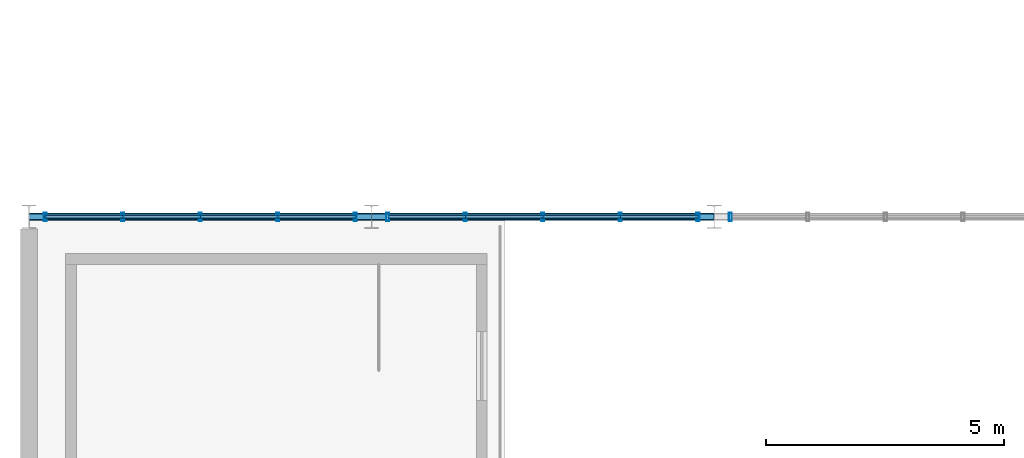
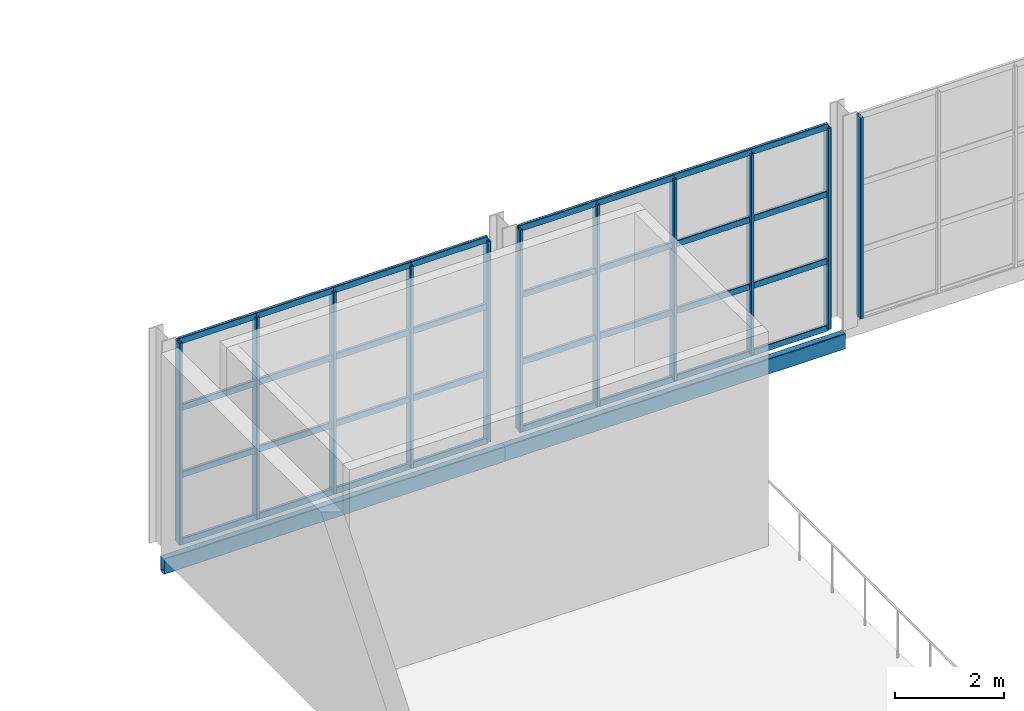
# One storey, part 27 of 143: 43 members, 2 beams, 3 elements without a shape of their own.
"""IFC4 building model written with IfcOpenShell, lengths in metres."""

import ifcopenshell
import ifcopenshell.guid

model = None  # the IFC model being written
_history = None  # IfcOwnerHistory: only IFC2X3 demands one
_inside = {}  # id of a spatial element -> (the spatial element, [elements in it])
_under = {}  # id of a project, library or spatial element -> (it, [spatial elements below it])
_declared = {}  # id of a project -> (the project, [libraries it declares])
_typed = {}  # id of a type object -> (the type object, [elements of that type])
_made_of = {}  # id of a material, layer set ... -> (it, [elements and type objects made of it])


def new_model(schema):
    """Start an empty IFC model of exactly this schema.

    Asked for "IFC4X3", IfcOpenShell would pick the latest addendum, in which some entities
    have other attributes; the version numbers below select the first issue.
    IFC2X3 requires an IfcOwnerHistory on every rooted entity: one is made here for all.
    """
    global model, _history
    if schema == "IFC4X3":
        model = ifcopenshell.file(schema_version=(4, 3, 0, 0))
    else:
        model = ifcopenshell.file(schema=schema)
    _inside.clear()
    _under.clear()
    _declared.clear()
    _typed.clear()
    _made_of.clear()
    _history = None
    if model.schema == "IFC2X3":
        org = make("IfcOrganization", Name="unknown")
        user = make(
            "IfcPersonAndOrganization",
            ThePerson=make("IfcPerson", FamilyName="unknown"),
            TheOrganization=org,
        )
        app = make(
            "IfcApplication",
            ApplicationDeveloper=org,
            Version="unknown",
            ApplicationFullName="unknown",
            ApplicationIdentifier="unknown",
        )
        _history = make(
            "IfcOwnerHistory",
            OwningUser=user,
            OwningApplication=app,
            ChangeAction="ADDED",
            CreationDate=0,
        )
    return model


def make(cls, **values):
    """One entity of the class cls with the attributes given. An attribute that is None is left unset."""
    return model.create_entity(
        cls, **{name: value for name, value in values.items() if value is not None}
    )


def rooted(cls, **values):
    """An entity with a GlobalId (a new one), such as an element, a storey or a relation."""
    return make(cls, GlobalId=ifcopenshell.guid.new(), OwnerHistory=_history, **values)


def si_unit(unit_type, name, prefix=None):
    """IfcSIUnit, for example si_unit("LENGTHUNIT", "METRE", prefix="MILLI")."""
    return make("IfcSIUnit", UnitType=unit_type, Prefix=prefix, Name=name)


def derived_unit(unit_type, elements):
    """IfcDerivedUnit: a product of units, each with its exponent."""
    return make(
        "IfcDerivedUnit",
        Elements=[
            make("IfcDerivedUnitElement", Unit=unit, Exponent=power)
            for unit, power in elements
        ],
        UnitType=unit_type,
    )


def assignment(units):
    """IfcUnitAssignment: the units of a project."""
    return None if units is None else make("IfcUnitAssignment", Units=units)


def point(xyz):
    """IfcCartesianPoint."""
    return None if xyz is None else make("IfcCartesianPoint", Coordinates=xyz)


def direction(xyz):
    """IfcDirection."""
    return None if xyz is None else make("IfcDirection", DirectionRatios=xyz)


def frame(location, z_axis=None, x_axis=None):
    """IfcAxis2Placement3D, a coordinate frame: its origin and axes. An axis left out is left unset."""
    return make(
        "IfcAxis2Placement3D",
        Location=point(location),
        Axis=direction(z_axis),
        RefDirection=direction(x_axis),
    )


def frame_2d(location, x_axis=None):
    """IfcAxis2Placement2D, a coordinate frame in the plane: its origin and x axis."""
    return make(
        "IfcAxis2Placement2D", Location=point(location), RefDirection=direction(x_axis)
    )


def origin():
    """The frame at (0, 0, 0) with its axes left unset."""
    return frame((0.0, 0.0, 0.0))


def origin_2d():
    """The frame at (0, 0) in the plane with its x axis left unset."""
    return frame_2d((0.0, 0.0))


def place(relative_to, where):
    """IfcLocalPlacement: puts the frame where relative to a parent placement (None: the world)."""
    return make(
        "IfcLocalPlacement", PlacementRelTo=relative_to, RelativePlacement=where
    )


def context(
    kind, dimensions, precision=None, world=None, true_north=None, identifier=None
):
    """IfcGeometricRepresentationContext, for example the 3D "Model" context."""
    return make(
        "IfcGeometricRepresentationContext",
        ContextIdentifier=identifier,
        ContextType=kind,
        CoordinateSpaceDimension=dimensions,
        Precision=precision,
        WorldCoordinateSystem=world,
        TrueNorth=true_north,
    )


def subcontext(parent, identifier, kind, view, scale=None):
    """IfcGeometricRepresentationSubContext, for example "Body" below "Model"."""
    return make(
        "IfcGeometricRepresentationSubContext",
        ContextIdentifier=identifier,
        ContextType=kind,
        ParentContext=parent,
        TargetScale=scale,
        TargetView=view,
    )


def project(units=None, contexts=None):
    """IfcProject with its units and contexts."""
    return rooted(
        "IfcProject",
        Name="project",
        RepresentationContexts=contexts,
        UnitsInContext=assignment(units),
    )


def spatial(cls, under=None, at=None, **own):
    """A site, building, storey or space (cls), placed at a placement, below another one or the project."""
    s = rooted(cls, ObjectPlacement=at, **own)
    if under is not None:
        _under.setdefault(under.id(), (under, []))[1].append(s)
    return s


def profile(cls, at=None, kind="AREA", **sizes):
    """A parametric profile (cls). Its sizes go by their IFC names, for example OverallWidth=200.0."""
    return make(cls, ProfileType=kind, Position=at, **sizes)


def hollow_rectangle(**sizes):
    """IfcRectangleHollowProfileDef."""
    return profile("IfcRectangleHollowProfileDef", **sizes)


def extrude(swept, where, along, depth):
    """IfcExtrudedAreaSolid: the profile swept, set in the frame where, extruded along a direction by depth."""
    return make(
        "IfcExtrudedAreaSolid",
        SweptArea=swept,
        Position=where,
        ExtrudedDirection=direction(along),
        Depth=depth,
    )


def shape(context_of_items, identifier, shape_type, items):
    """IfcShapeRepresentation: the items that make up one representation, for example the "Body"."""
    return make(
        "IfcShapeRepresentation",
        ContextOfItems=context_of_items,
        RepresentationIdentifier=identifier,
        RepresentationType=shape_type,
        Items=items,
    )


def material(Name=None, Category=None):
    """IfcMaterial."""
    return make("IfcMaterial", Name=Name, Category=Category)


def material_profile(
    of_material, cross_section, Name=None, Category=None, Priority=None
):
    """IfcMaterialProfile: a cross section and its material."""
    return make(
        "IfcMaterialProfile",
        Name=Name,
        Material=of_material,
        Profile=cross_section,
        Priority=Priority,
        Category=Category,
    )


def profile_set(profiles, Name=None, composite=None):
    """IfcMaterialProfileSet."""
    return make(
        "IfcMaterialProfileSet",
        Name=Name,
        MaterialProfiles=profiles,
        CompositeProfile=composite,
    )


def made_of(thing, what):
    """Note that an element or type object is made of a material, layer set ...; save() writes the relation."""
    if what is not None:
        _made_of.setdefault(what.id(), (what, []))[1].append(thing)
    return thing


def type_object(cls, material=None, **own):
    """A type object (cls), such as IfcWallType, which elements share."""
    return made_of(rooted(cls, **own), material)


def element(
    cls,
    number,
    at=None,
    inside=None,
    cuts=None,
    type_object=None,
    material=None,
    context=None,
    identifier="Body",
    shape_type=None,
    held_by="IfcProductDefinitionShape",
    body=None,
    shapes=None,
    **own,
):
    """One element of the class cls, such as IfcWall. Its Tag is "e" and its number.

    at: its placement. inside: the storey or other place that contains it. cuts: it is an
    opening in that element (IfcRelVoidsElement). A single representation is given by context,
    identifier, shape_type and body (its items); several are given by shapes. held_by: the class
    of the entity that holds the representations. save() writes the other relations.
    """
    e = rooted(cls, Tag="e%d" % number, ObjectPlacement=at, **own)
    if body is not None:
        shapes = [shape(context, identifier, shape_type, body)]
    if shapes is not None:
        e.Representation = make(held_by, Representations=shapes)
    if inside is not None:
        _inside.setdefault(inside.id(), (inside, []))[1].append(e)
    if cuts is not None:
        rooted(
            "IfcRelVoidsElement", RelatingBuildingElement=cuts, RelatedOpeningElement=e
        )
    if type_object is not None:
        _typed.setdefault(type_object.id(), (type_object, []))[1].append(e)
    return made_of(e, material)


def aggregate(whole, parts):
    """IfcRelAggregates: a whole, such as a stair, and the parts it consists of."""
    return rooted("IfcRelAggregates", RelatingObject=whole, RelatedObjects=parts)


def save(model, path):
    """Write the relations noted so far, then the file.

    IfcRelAggregates (storeys below a building ...), IfcRelContainedInSpatialStructure (elements
    in a storey), IfcRelDefinesByType, IfcRelAssociatesMaterial and IfcRelDeclares: one each for
    every whole, place, type object, material and project.
    """
    for whole, parts in _under.values():
        aggregate(whole, parts)
    for where, things in _inside.values():
        rooted(
            "IfcRelContainedInSpatialStructure",
            RelatedElements=things,
            RelatingStructure=where,
        )
    for kind, things in _typed.values():
        rooted("IfcRelDefinesByType", RelatedObjects=things, RelatingType=kind)
    for what, things in _made_of.values():
        rooted("IfcRelAssociatesMaterial", RelatedObjects=things, RelatingMaterial=what)
    for by, libraries in _declared.values():
        rooted("IfcRelDeclares", RelatingContext=by, RelatedDefinitions=libraries)
    model.write(path)


model = new_model("IFC4")

# Units and contexts
model_context = context("Model", 3, precision=1e-05, world=origin(), true_north=direction((0.0, 1.0)))
body_context = subcontext(model_context, "Body", "Model", "MODEL_VIEW")
ifc_project = project(units=[si_unit("LENGTHUNIT", "METRE"), si_unit("AREAUNIT", "SQUARE_METRE"), si_unit("VOLUMEUNIT", "CUBIC_METRE"), si_unit("PLANEANGLEUNIT", "RADIAN"), si_unit("MASSUNIT", "GRAM", prefix="KILO"), derived_unit("THERMALTRANSMITTANCEUNIT", [(si_unit("POWERUNIT", "WATT"), 1), (si_unit("LENGTHUNIT", "METRE"), -2), (si_unit("THERMODYNAMICTEMPERATUREUNIT", "KELVIN"), -1)])], contexts=[model_context])

# Site, building, storey
site_placement = place(None, origin())
site = spatial("IfcSite", under=ifc_project, at=site_placement, CompositionType="ELEMENT")
building_placement = place(site_placement, origin())
building = spatial("IfcBuilding", under=site, at=building_placement, Name="Keldorne Ridge Multi-Sports Centre", CompositionType="ELEMENT")
storey_placement = place(building_placement, frame((0.0, 0.0, 4.800048828125)))
storey = spatial("IfcBuildingStorey", under=building, at=storey_placement, Name="L01", CompositionType="ELEMENT", Elevation=4.800048828125)

# Beams
ifc_material_1 = material(Name="Steel S355", Category="steel")
ifc_material_profile_1 = material_profile(ifc_material_1, hollow_rectangle(XDim=0.14990234375, YDim=0.35009765625, WallThickness=0.012451171875, InnerFilletRadius=0.012451171875, OuterFilletRadius=0.02490234375, at=origin_2d()), Name="RHS 350x150x12.5")
ifc_profile_set_1 = profile_set([ifc_material_profile_1], Name="Steel S355")
beam_type = type_object("IfcBeamType", Name="BM-SP-06", PredefinedType="SPANDREL", material=ifc_profile_set_1)
for number, where, z_axis, x_axis, name in (
    (1, (6.0, 54.0, -0.39501953125), (1.0, 0.0, 0.0), (0.0, 1.0, 0.0), "Main Hall north spandrel L01.1"),
    (2, (13.199951171875, 54.0, -0.39501953125), (1.0, 0.0, 0.0), (0.0, 1.0, 0.0), "Main Hall north spandrel L01.2"),
):
    element("IfcBeam", number, at=place(storey_placement, frame(where, z_axis=z_axis, x_axis=x_axis)), inside=storey, type_object=beam_type, Name=name, PredefinedType="SPANDREL", context=body_context, shape_type="SweptSolid", body=[
        extrude(hollow_rectangle(XDim=0.14990234375, YDim=0.35009765625, WallThickness=0.012451171875, InnerFilletRadius=0.012451171875, OuterFilletRadius=0.02490234375, at=origin_2d()), origin(), (0.0, 0.0, 1.0), 7.199951171875),
    ])

# Curtain wall, members
ifc_material_2 = material(Name="Anodized aluminium", Category="aluminium")
curtain_wall_type_1 = type_object("IfcCurtainWallType", Name="CW-CW-03", PredefinedType="NOTDEFINED", material=ifc_material_2)
curtain_wall_1_placement = place(storey_placement, origin())
curtain_wall_1 = element("IfcCurtainWall", 3, at=curtain_wall_1_placement, inside=storey, type_object=curtain_wall_type_1, Name="Main Hall north clerestory curtain wall 003", PredefinedType="NOTDEFINED")
ifc_material_profile_2 = material_profile(ifc_material_2, hollow_rectangle(XDim=0.06494140625, YDim=0.179931640625, WallThickness=0.00439453125, InnerFilletRadius=0.00439453125, OuterFilletRadius=0.009033203125, at=origin_2d()), Name="ALU MULLION 180x65x4.5")
ifc_profile_set_2 = profile_set([ifc_material_profile_2], Name="Anodized aluminium")
member_type_1 = type_object("IfcMemberType", Name="MEM-ML-01", PredefinedType="MULLION", material=ifc_profile_set_2)
member_1_placement = place(storey_placement, frame((12.860107421875, 54.0, 0.0), z_axis=(0.0, 0.0, 1.0), x_axis=(1.0, 0.0, 0.0)))
member_1 = element("IfcMember", 4, at=member_1_placement, type_object=member_type_1, Name="CW-003 vertical mullion 1", PredefinedType="MULLION", context=body_context, shape_type="SweptSolid", body=[
    extrude(hollow_rectangle(XDim=0.06494140625, YDim=0.179931640625, WallThickness=0.00439453125, InnerFilletRadius=0.00439453125, OuterFilletRadius=0.009033203125, at=origin_2d()), origin(), (0.0, 0.0, 1.0), 4.5),
])
member_2_placement = place(storey_placement, frame((11.22998046875, 54.0, 0.0), z_axis=(0.0, 0.0, 1.0), x_axis=(1.0, 0.0, 0.0)))
member_2 = element("IfcMember", 5, at=member_2_placement, type_object=member_type_1, Name="CW-003 vertical mullion 2", PredefinedType="MULLION", context=body_context, shape_type="SweptSolid", body=[
    extrude(hollow_rectangle(XDim=0.06494140625, YDim=0.179931640625, WallThickness=0.00439453125, InnerFilletRadius=0.00439453125, OuterFilletRadius=0.009033203125, at=origin_2d()), origin(), (0.0, 0.0, 1.0), 4.5),
])
member_3_placement = place(storey_placement, frame((9.60009765625, 54.0, 0.0), z_axis=(0.0, 0.0, 1.0), x_axis=(1.0, 0.0, 0.0)))
member_3 = element("IfcMember", 6, at=member_3_placement, type_object=member_type_1, Name="CW-003 vertical mullion 3", PredefinedType="MULLION", context=body_context, shape_type="SweptSolid", body=[
    extrude(hollow_rectangle(XDim=0.06494140625, YDim=0.179931640625, WallThickness=0.00439453125, InnerFilletRadius=0.00439453125, OuterFilletRadius=0.009033203125, at=origin_2d()), origin(), (0.0, 0.0, 1.0), 4.5),
])
member_4_placement = place(storey_placement, frame((7.969970703125, 54.0, 0.0), z_axis=(0.0, 0.0, 1.0), x_axis=(1.0, 0.0, 0.0)))
member_4 = element("IfcMember", 7, at=member_4_placement, type_object=member_type_1, Name="CW-003 vertical mullion 4", PredefinedType="MULLION", context=body_context, shape_type="SweptSolid", body=[
    extrude(hollow_rectangle(XDim=0.06494140625, YDim=0.179931640625, WallThickness=0.00439453125, InnerFilletRadius=0.00439453125, OuterFilletRadius=0.009033203125, at=origin_2d()), origin(), (0.0, 0.0, 1.0), 4.5),
])
member_5_placement = place(storey_placement, frame((6.340087890625, 54.0, 0.0), z_axis=(0.0, 0.0, 1.0), x_axis=(1.0, 0.0, 0.0)))
member_5 = element("IfcMember", 8, at=member_5_placement, type_object=member_type_1, Name="CW-003 vertical mullion 5", PredefinedType="MULLION", context=body_context, shape_type="SweptSolid", body=[
    extrude(hollow_rectangle(XDim=0.06494140625, YDim=0.179931640625, WallThickness=0.00439453125, InnerFilletRadius=0.00439453125, OuterFilletRadius=0.009033203125, at=origin_2d()), origin(), (0.0, 0.0, 1.0), 4.5),
])

curtain_wall_type_2 = type_object("IfcCurtainWallType", Name="CW-CW-06", PredefinedType="NOTDEFINED", material=ifc_material_2)
curtain_wall_2_placement = place(storey_placement, origin())
curtain_wall_2 = element("IfcCurtainWall", 9, at=curtain_wall_2_placement, inside=storey, type_object=curtain_wall_type_2, Name="Main Hall north clerestory curtain wall 006", PredefinedType="NOTDEFINED")
member_6_placement = place(storey_placement, frame((20.06005859375, 54.0, 0.0), z_axis=(0.0, 0.0, 1.0), x_axis=(1.0, 0.0, 0.0)))
member_6 = element("IfcMember", 10, at=member_6_placement, type_object=member_type_1, Name="CW-006 vertical mullion 1", PredefinedType="MULLION", context=body_context, shape_type="SweptSolid", body=[
    extrude(hollow_rectangle(XDim=0.06494140625, YDim=0.179931640625, WallThickness=0.00439453125, InnerFilletRadius=0.00439453125, OuterFilletRadius=0.009033203125, at=origin_2d()), origin(), (0.0, 0.0, 1.0), 4.5),
])
member_7_placement = place(storey_placement, frame((18.429931640625, 54.0, 0.0), z_axis=(0.0, 0.0, 1.0), x_axis=(1.0, 0.0, 0.0)))
member_7 = element("IfcMember", 11, at=member_7_placement, type_object=member_type_1, Name="CW-006 vertical mullion 2", PredefinedType="MULLION", context=body_context, shape_type="SweptSolid", body=[
    extrude(hollow_rectangle(XDim=0.06494140625, YDim=0.179931640625, WallThickness=0.00439453125, InnerFilletRadius=0.00439453125, OuterFilletRadius=0.009033203125, at=origin_2d()), origin(), (0.0, 0.0, 1.0), 4.5),
])
member_8_placement = place(storey_placement, frame((16.800048828125, 54.0, 0.0), z_axis=(0.0, 0.0, 1.0), x_axis=(1.0, 0.0, 0.0)))
member_8 = element("IfcMember", 12, at=member_8_placement, type_object=member_type_1, Name="CW-006 vertical mullion 3", PredefinedType="MULLION", context=body_context, shape_type="SweptSolid", body=[
    extrude(hollow_rectangle(XDim=0.06494140625, YDim=0.179931640625, WallThickness=0.00439453125, InnerFilletRadius=0.00439453125, OuterFilletRadius=0.009033203125, at=origin_2d()), origin(), (0.0, 0.0, 1.0), 4.5),
])
member_9_placement = place(storey_placement, frame((15.169921875, 54.0, 0.0), z_axis=(0.0, 0.0, 1.0), x_axis=(1.0, 0.0, 0.0)))
member_9 = element("IfcMember", 13, at=member_9_placement, type_object=member_type_1, Name="CW-006 vertical mullion 4", PredefinedType="MULLION", context=body_context, shape_type="SweptSolid", body=[
    extrude(hollow_rectangle(XDim=0.06494140625, YDim=0.179931640625, WallThickness=0.00439453125, InnerFilletRadius=0.00439453125, OuterFilletRadius=0.009033203125, at=origin_2d()), origin(), (0.0, 0.0, 1.0), 4.5),
])
member_10_placement = place(storey_placement, frame((13.5400390625, 54.0, 0.0), z_axis=(0.0, 0.0, 1.0), x_axis=(1.0, 0.0, 0.0)))
member_10 = element("IfcMember", 14, at=member_10_placement, type_object=member_type_1, Name="CW-006 vertical mullion 5", PredefinedType="MULLION", context=body_context, shape_type="SweptSolid", body=[
    extrude(hollow_rectangle(XDim=0.06494140625, YDim=0.179931640625, WallThickness=0.00439453125, InnerFilletRadius=0.00439453125, OuterFilletRadius=0.009033203125, at=origin_2d()), origin(), (0.0, 0.0, 1.0), 4.5),
])

# Curtain wall, member
curtain_wall_type_3 = type_object("IfcCurtainWallType", Name="CW-CW-01", PredefinedType="NOTDEFINED", material=ifc_material_2)
curtain_wall_3_placement = place(storey_placement, origin())
curtain_wall_3 = element("IfcCurtainWall", 15, at=curtain_wall_3_placement, inside=storey, type_object=curtain_wall_type_3, Name="Main Hall north clerestory curtain wall 009", PredefinedType="NOTDEFINED")
member_11_placement = place(storey_placement, frame((20.739990234375, 54.0, 0.0), z_axis=(0.0, 0.0, 1.0), x_axis=(1.0, 0.0, 0.0)))
member_11 = element("IfcMember", 16, at=member_11_placement, type_object=member_type_1, Name="CW-009 vertical mullion 5", PredefinedType="MULLION", context=body_context, shape_type="SweptSolid", body=[
    extrude(hollow_rectangle(XDim=0.06494140625, YDim=0.179931640625, WallThickness=0.00439453125, InnerFilletRadius=0.00439453125, OuterFilletRadius=0.009033203125, at=origin_2d()), origin(), (0.0, 0.0, 1.0), 4.5),
])
aggregate(curtain_wall_3, [member_11])

# Member
ifc_material_profile_3 = material_profile(ifc_material_2, hollow_rectangle(XDim=0.06494140625, YDim=0.139892578125, WallThickness=0.00439453125, InnerFilletRadius=0.00439453125, OuterFilletRadius=0.009033203125, at=origin_2d()), Name="ALU TRANSOM 140x65x4.5")
ifc_profile_set_3 = profile_set([ifc_material_profile_3], Name="Anodized aluminium")
member_type_2 = type_object("IfcMemberType", Name="MEM-TR-01", PredefinedType="USERDEFINED", material=ifc_profile_set_3)
member_12_placement = place(storey_placement, frame((12.860107421875, 54.0, 0.0), z_axis=(-1.0, 0.0, 0.0), x_axis=(0.0, -1.0, 0.0)))
member_12 = element("IfcMember", 17, at=member_12_placement, type_object=member_type_2, Name="CW-003 transom 1.1", ObjectType="TRANSOM", PredefinedType="USERDEFINED", context=body_context, shape_type="SweptSolid", body=[
    extrude(hollow_rectangle(XDim=0.06494140625, YDim=0.139892578125, WallThickness=0.00439453125, InnerFilletRadius=0.00439453125, OuterFilletRadius=0.009033203125, at=origin_2d()), origin(), (0.0, 0.0, 1.0), 1.630126953125),
])

member_13_placement = place(storey_placement, frame((12.860107421875, 54.0, 1.5), z_axis=(-1.0, 0.0, 0.0), x_axis=(0.0, -1.0, 0.0)))
member_13 = element("IfcMember", 18, at=member_13_placement, type_object=member_type_2, Name="CW-003 transom 1.2", ObjectType="TRANSOM", PredefinedType="USERDEFINED", context=body_context, shape_type="SweptSolid", body=[
    extrude(hollow_rectangle(XDim=0.06494140625, YDim=0.139892578125, WallThickness=0.00439453125, InnerFilletRadius=0.00439453125, OuterFilletRadius=0.009033203125, at=origin_2d()), origin(), (0.0, 0.0, 1.0), 1.630126953125),
])

member_14_placement = place(storey_placement, frame((12.860107421875, 54.0, 3.0), z_axis=(-1.0, 0.0, 0.0), x_axis=(0.0, -1.0, 0.0)))
member_14 = element("IfcMember", 19, at=member_14_placement, type_object=member_type_2, Name="CW-003 transom 1.3", ObjectType="TRANSOM", PredefinedType="USERDEFINED", context=body_context, shape_type="SweptSolid", body=[
    extrude(hollow_rectangle(XDim=0.06494140625, YDim=0.139892578125, WallThickness=0.00439453125, InnerFilletRadius=0.00439453125, OuterFilletRadius=0.009033203125, at=origin_2d()), origin(), (0.0, 0.0, 1.0), 1.630126953125),
])

member_15_placement = place(storey_placement, frame((12.860107421875, 54.0, 4.5), z_axis=(-1.0, 0.0, 0.0), x_axis=(0.0, -1.0, 0.0)))
member_15 = element("IfcMember", 20, at=member_15_placement, type_object=member_type_2, Name="CW-003 transom 1.4", ObjectType="TRANSOM", PredefinedType="USERDEFINED", context=body_context, shape_type="SweptSolid", body=[
    extrude(hollow_rectangle(XDim=0.06494140625, YDim=0.139892578125, WallThickness=0.00439453125, InnerFilletRadius=0.00439453125, OuterFilletRadius=0.009033203125, at=origin_2d()), origin(), (0.0, 0.0, 1.0), 1.630126953125),
])

member_16_placement = place(storey_placement, frame((11.22998046875, 54.0, 0.0), z_axis=(-1.0, 0.0, 0.0), x_axis=(0.0, -1.0, 0.0)))
member_16 = element("IfcMember", 21, at=member_16_placement, type_object=member_type_2, Name="CW-003 transom 2.1", ObjectType="TRANSOM", PredefinedType="USERDEFINED", context=body_context, shape_type="SweptSolid", body=[
    extrude(hollow_rectangle(XDim=0.06494140625, YDim=0.139892578125, WallThickness=0.00439453125, InnerFilletRadius=0.00439453125, OuterFilletRadius=0.009033203125, at=origin_2d()), origin(), (0.0, 0.0, 1.0), 1.6298828125),
])

member_17_placement = place(storey_placement, frame((11.22998046875, 54.0, 1.5), z_axis=(-1.0, 0.0, 0.0), x_axis=(0.0, -1.0, 0.0)))
member_17 = element("IfcMember", 22, at=member_17_placement, type_object=member_type_2, Name="CW-003 transom 2.2", ObjectType="TRANSOM", PredefinedType="USERDEFINED", context=body_context, shape_type="SweptSolid", body=[
    extrude(hollow_rectangle(XDim=0.06494140625, YDim=0.139892578125, WallThickness=0.00439453125, InnerFilletRadius=0.00439453125, OuterFilletRadius=0.009033203125, at=origin_2d()), origin(), (0.0, 0.0, 1.0), 1.6298828125),
])

member_18_placement = place(storey_placement, frame((11.22998046875, 54.0, 3.0), z_axis=(-1.0, 0.0, 0.0), x_axis=(0.0, -1.0, 0.0)))
member_18 = element("IfcMember", 23, at=member_18_placement, type_object=member_type_2, Name="CW-003 transom 2.3", ObjectType="TRANSOM", PredefinedType="USERDEFINED", context=body_context, shape_type="SweptSolid", body=[
    extrude(hollow_rectangle(XDim=0.06494140625, YDim=0.139892578125, WallThickness=0.00439453125, InnerFilletRadius=0.00439453125, OuterFilletRadius=0.009033203125, at=origin_2d()), origin(), (0.0, 0.0, 1.0), 1.6298828125),
])

member_19_placement = place(storey_placement, frame((11.22998046875, 54.0, 4.5), z_axis=(-1.0, 0.0, 0.0), x_axis=(0.0, -1.0, 0.0)))
member_19 = element("IfcMember", 24, at=member_19_placement, type_object=member_type_2, Name="CW-003 transom 2.4", ObjectType="TRANSOM", PredefinedType="USERDEFINED", context=body_context, shape_type="SweptSolid", body=[
    extrude(hollow_rectangle(XDim=0.06494140625, YDim=0.139892578125, WallThickness=0.00439453125, InnerFilletRadius=0.00439453125, OuterFilletRadius=0.009033203125, at=origin_2d()), origin(), (0.0, 0.0, 1.0), 1.6298828125),
])

member_20_placement = place(storey_placement, frame((9.60009765625, 54.0, 0.0), z_axis=(-1.0, 0.0, 0.0), x_axis=(0.0, -1.0, 0.0)))
member_20 = element("IfcMember", 25, at=member_20_placement, type_object=member_type_2, Name="CW-003 transom 3.1", ObjectType="TRANSOM", PredefinedType="USERDEFINED", context=body_context, shape_type="SweptSolid", body=[
    extrude(hollow_rectangle(XDim=0.06494140625, YDim=0.139892578125, WallThickness=0.00439453125, InnerFilletRadius=0.00439453125, OuterFilletRadius=0.009033203125, at=origin_2d()), origin(), (0.0, 0.0, 1.0), 1.630126953125),
])

member_21_placement = place(storey_placement, frame((9.60009765625, 54.0, 1.5), z_axis=(-1.0, 0.0, 0.0), x_axis=(0.0, -1.0, 0.0)))
member_21 = element("IfcMember", 26, at=member_21_placement, type_object=member_type_2, Name="CW-003 transom 3.2", ObjectType="TRANSOM", PredefinedType="USERDEFINED", context=body_context, shape_type="SweptSolid", body=[
    extrude(hollow_rectangle(XDim=0.06494140625, YDim=0.139892578125, WallThickness=0.00439453125, InnerFilletRadius=0.00439453125, OuterFilletRadius=0.009033203125, at=origin_2d()), origin(), (0.0, 0.0, 1.0), 1.630126953125),
])

member_22_placement = place(storey_placement, frame((9.60009765625, 54.0, 3.0), z_axis=(-1.0, 0.0, 0.0), x_axis=(0.0, -1.0, 0.0)))
member_22 = element("IfcMember", 27, at=member_22_placement, type_object=member_type_2, Name="CW-003 transom 3.3", ObjectType="TRANSOM", PredefinedType="USERDEFINED", context=body_context, shape_type="SweptSolid", body=[
    extrude(hollow_rectangle(XDim=0.06494140625, YDim=0.139892578125, WallThickness=0.00439453125, InnerFilletRadius=0.00439453125, OuterFilletRadius=0.009033203125, at=origin_2d()), origin(), (0.0, 0.0, 1.0), 1.630126953125),
])

member_23_placement = place(storey_placement, frame((9.60009765625, 54.0, 4.5), z_axis=(-1.0, 0.0, 0.0), x_axis=(0.0, -1.0, 0.0)))
member_23 = element("IfcMember", 28, at=member_23_placement, type_object=member_type_2, Name="CW-003 transom 3.4", ObjectType="TRANSOM", PredefinedType="USERDEFINED", context=body_context, shape_type="SweptSolid", body=[
    extrude(hollow_rectangle(XDim=0.06494140625, YDim=0.139892578125, WallThickness=0.00439453125, InnerFilletRadius=0.00439453125, OuterFilletRadius=0.009033203125, at=origin_2d()), origin(), (0.0, 0.0, 1.0), 1.630126953125),
])

member_24_placement = place(storey_placement, frame((7.969970703125, 54.0, 0.0), z_axis=(-1.0, 0.0, 0.0), x_axis=(0.0, -1.0, 0.0)))
member_24 = element("IfcMember", 29, at=member_24_placement, type_object=member_type_2, Name="CW-003 transom 4.1", ObjectType="TRANSOM", PredefinedType="USERDEFINED", context=body_context, shape_type="SweptSolid", body=[
    extrude(hollow_rectangle(XDim=0.06494140625, YDim=0.139892578125, WallThickness=0.00439453125, InnerFilletRadius=0.00439453125, OuterFilletRadius=0.009033203125, at=origin_2d()), origin(), (0.0, 0.0, 1.0), 1.6298828125),
])

member_25_placement = place(storey_placement, frame((7.969970703125, 54.0, 1.5), z_axis=(-1.0, 0.0, 0.0), x_axis=(0.0, -1.0, 0.0)))
member_25 = element("IfcMember", 30, at=member_25_placement, type_object=member_type_2, Name="CW-003 transom 4.2", ObjectType="TRANSOM", PredefinedType="USERDEFINED", context=body_context, shape_type="SweptSolid", body=[
    extrude(hollow_rectangle(XDim=0.06494140625, YDim=0.139892578125, WallThickness=0.00439453125, InnerFilletRadius=0.00439453125, OuterFilletRadius=0.009033203125, at=origin_2d()), origin(), (0.0, 0.0, 1.0), 1.6298828125),
])

member_26_placement = place(storey_placement, frame((7.969970703125, 54.0, 3.0), z_axis=(-1.0, 0.0, 0.0), x_axis=(0.0, -1.0, 0.0)))
member_26 = element("IfcMember", 31, at=member_26_placement, type_object=member_type_2, Name="CW-003 transom 4.3", ObjectType="TRANSOM", PredefinedType="USERDEFINED", context=body_context, shape_type="SweptSolid", body=[
    extrude(hollow_rectangle(XDim=0.06494140625, YDim=0.139892578125, WallThickness=0.00439453125, InnerFilletRadius=0.00439453125, OuterFilletRadius=0.009033203125, at=origin_2d()), origin(), (0.0, 0.0, 1.0), 1.6298828125),
])

member_27_placement = place(storey_placement, frame((7.969970703125, 54.0, 4.5), z_axis=(-1.0, 0.0, 0.0), x_axis=(0.0, -1.0, 0.0)))
member_27 = element("IfcMember", 32, at=member_27_placement, type_object=member_type_2, Name="CW-003 transom 4.4", ObjectType="TRANSOM", PredefinedType="USERDEFINED", context=body_context, shape_type="SweptSolid", body=[
    extrude(hollow_rectangle(XDim=0.06494140625, YDim=0.139892578125, WallThickness=0.00439453125, InnerFilletRadius=0.00439453125, OuterFilletRadius=0.009033203125, at=origin_2d()), origin(), (0.0, 0.0, 1.0), 1.6298828125),
])

aggregate(curtain_wall_1, [member_1, member_2, member_3, member_4, member_5, member_12, member_13, member_14, member_15, member_16, member_17, member_18, member_19, member_20, member_21, member_22, member_23, member_24, member_25, member_26, member_27])

member_28_placement = place(storey_placement, frame((20.06005859375, 54.0, 0.0), z_axis=(-1.0, 0.0, 0.0), x_axis=(0.0, -1.0, 0.0)))
member_28 = element("IfcMember", 33, at=member_28_placement, type_object=member_type_2, Name="CW-006 transom 1.1", ObjectType="TRANSOM", PredefinedType="USERDEFINED", context=body_context, shape_type="SweptSolid", body=[
    extrude(hollow_rectangle(XDim=0.06494140625, YDim=0.139892578125, WallThickness=0.00439453125, InnerFilletRadius=0.00439453125, OuterFilletRadius=0.009033203125, at=origin_2d()), origin(), (0.0, 0.0, 1.0), 1.630126953125),
])

member_29_placement = place(storey_placement, frame((20.06005859375, 54.0, 1.5), z_axis=(-1.0, 0.0, 0.0), x_axis=(0.0, -1.0, 0.0)))
member_29 = element("IfcMember", 34, at=member_29_placement, type_object=member_type_2, Name="CW-006 transom 1.2", ObjectType="TRANSOM", PredefinedType="USERDEFINED", context=body_context, shape_type="SweptSolid", body=[
    extrude(hollow_rectangle(XDim=0.06494140625, YDim=0.139892578125, WallThickness=0.00439453125, InnerFilletRadius=0.00439453125, OuterFilletRadius=0.009033203125, at=origin_2d()), origin(), (0.0, 0.0, 1.0), 1.630126953125),
])

member_30_placement = place(storey_placement, frame((20.06005859375, 54.0, 3.0), z_axis=(-1.0, 0.0, 0.0), x_axis=(0.0, -1.0, 0.0)))
member_30 = element("IfcMember", 35, at=member_30_placement, type_object=member_type_2, Name="CW-006 transom 1.3", ObjectType="TRANSOM", PredefinedType="USERDEFINED", context=body_context, shape_type="SweptSolid", body=[
    extrude(hollow_rectangle(XDim=0.06494140625, YDim=0.139892578125, WallThickness=0.00439453125, InnerFilletRadius=0.00439453125, OuterFilletRadius=0.009033203125, at=origin_2d()), origin(), (0.0, 0.0, 1.0), 1.630126953125),
])

member_31_placement = place(storey_placement, frame((20.06005859375, 54.0, 4.5), z_axis=(-1.0, 0.0, 0.0), x_axis=(0.0, -1.0, 0.0)))
member_31 = element("IfcMember", 36, at=member_31_placement, type_object=member_type_2, Name="CW-006 transom 1.4", ObjectType="TRANSOM", PredefinedType="USERDEFINED", context=body_context, shape_type="SweptSolid", body=[
    extrude(hollow_rectangle(XDim=0.06494140625, YDim=0.139892578125, WallThickness=0.00439453125, InnerFilletRadius=0.00439453125, OuterFilletRadius=0.009033203125, at=origin_2d()), origin(), (0.0, 0.0, 1.0), 1.630126953125),
])

member_32_placement = place(storey_placement, frame((18.429931640625, 54.0, 0.0), z_axis=(-1.0, 0.0, 0.0), x_axis=(0.0, -1.0, 0.0)))
member_32 = element("IfcMember", 37, at=member_32_placement, type_object=member_type_2, Name="CW-006 transom 2.1", ObjectType="TRANSOM", PredefinedType="USERDEFINED", context=body_context, shape_type="SweptSolid", body=[
    extrude(hollow_rectangle(XDim=0.06494140625, YDim=0.139892578125, WallThickness=0.00439453125, InnerFilletRadius=0.00439453125, OuterFilletRadius=0.009033203125, at=origin_2d()), origin(), (0.0, 0.0, 1.0), 1.6298828125),
])

member_33_placement = place(storey_placement, frame((18.429931640625, 54.0, 1.5), z_axis=(-1.0, 0.0, 0.0), x_axis=(0.0, -1.0, 0.0)))
member_33 = element("IfcMember", 38, at=member_33_placement, type_object=member_type_2, Name="CW-006 transom 2.2", ObjectType="TRANSOM", PredefinedType="USERDEFINED", context=body_context, shape_type="SweptSolid", body=[
    extrude(hollow_rectangle(XDim=0.06494140625, YDim=0.139892578125, WallThickness=0.00439453125, InnerFilletRadius=0.00439453125, OuterFilletRadius=0.009033203125, at=origin_2d()), origin(), (0.0, 0.0, 1.0), 1.6298828125),
])

member_34_placement = place(storey_placement, frame((18.429931640625, 54.0, 3.0), z_axis=(-1.0, 0.0, 0.0), x_axis=(0.0, -1.0, 0.0)))
member_34 = element("IfcMember", 39, at=member_34_placement, type_object=member_type_2, Name="CW-006 transom 2.3", ObjectType="TRANSOM", PredefinedType="USERDEFINED", context=body_context, shape_type="SweptSolid", body=[
    extrude(hollow_rectangle(XDim=0.06494140625, YDim=0.139892578125, WallThickness=0.00439453125, InnerFilletRadius=0.00439453125, OuterFilletRadius=0.009033203125, at=origin_2d()), origin(), (0.0, 0.0, 1.0), 1.6298828125),
])

member_35_placement = place(storey_placement, frame((18.429931640625, 54.0, 4.5), z_axis=(-1.0, 0.0, 0.0), x_axis=(0.0, -1.0, 0.0)))
member_35 = element("IfcMember", 40, at=member_35_placement, type_object=member_type_2, Name="CW-006 transom 2.4", ObjectType="TRANSOM", PredefinedType="USERDEFINED", context=body_context, shape_type="SweptSolid", body=[
    extrude(hollow_rectangle(XDim=0.06494140625, YDim=0.139892578125, WallThickness=0.00439453125, InnerFilletRadius=0.00439453125, OuterFilletRadius=0.009033203125, at=origin_2d()), origin(), (0.0, 0.0, 1.0), 1.6298828125),
])

member_36_placement = place(storey_placement, frame((16.800048828125, 54.0, 0.0), z_axis=(-1.0, 0.0, 0.0), x_axis=(0.0, -1.0, 0.0)))
member_36 = element("IfcMember", 41, at=member_36_placement, type_object=member_type_2, Name="CW-006 transom 3.1", ObjectType="TRANSOM", PredefinedType="USERDEFINED", context=body_context, shape_type="SweptSolid", body=[
    extrude(hollow_rectangle(XDim=0.06494140625, YDim=0.139892578125, WallThickness=0.00439453125, InnerFilletRadius=0.00439453125, OuterFilletRadius=0.009033203125, at=origin_2d()), origin(), (0.0, 0.0, 1.0), 1.630126953125),
])

member_37_placement = place(storey_placement, frame((16.800048828125, 54.0, 1.5), z_axis=(-1.0, 0.0, 0.0), x_axis=(0.0, -1.0, 0.0)))
member_37 = element("IfcMember", 42, at=member_37_placement, type_object=member_type_2, Name="CW-006 transom 3.2", ObjectType="TRANSOM", PredefinedType="USERDEFINED", context=body_context, shape_type="SweptSolid", body=[
    extrude(hollow_rectangle(XDim=0.06494140625, YDim=0.139892578125, WallThickness=0.00439453125, InnerFilletRadius=0.00439453125, OuterFilletRadius=0.009033203125, at=origin_2d()), origin(), (0.0, 0.0, 1.0), 1.630126953125),
])

member_38_placement = place(storey_placement, frame((16.800048828125, 54.0, 3.0), z_axis=(-1.0, 0.0, 0.0), x_axis=(0.0, -1.0, 0.0)))
member_38 = element("IfcMember", 43, at=member_38_placement, type_object=member_type_2, Name="CW-006 transom 3.3", ObjectType="TRANSOM", PredefinedType="USERDEFINED", context=body_context, shape_type="SweptSolid", body=[
    extrude(hollow_rectangle(XDim=0.06494140625, YDim=0.139892578125, WallThickness=0.00439453125, InnerFilletRadius=0.00439453125, OuterFilletRadius=0.009033203125, at=origin_2d()), origin(), (0.0, 0.0, 1.0), 1.630126953125),
])

member_39_placement = place(storey_placement, frame((16.800048828125, 54.0, 4.5), z_axis=(-1.0, 0.0, 0.0), x_axis=(0.0, -1.0, 0.0)))
member_39 = element("IfcMember", 44, at=member_39_placement, type_object=member_type_2, Name="CW-006 transom 3.4", ObjectType="TRANSOM", PredefinedType="USERDEFINED", context=body_context, shape_type="SweptSolid", body=[
    extrude(hollow_rectangle(XDim=0.06494140625, YDim=0.139892578125, WallThickness=0.00439453125, InnerFilletRadius=0.00439453125, OuterFilletRadius=0.009033203125, at=origin_2d()), origin(), (0.0, 0.0, 1.0), 1.630126953125),
])

member_40_placement = place(storey_placement, frame((15.169921875, 54.0, 0.0), z_axis=(-1.0, 0.0, 0.0), x_axis=(0.0, -1.0, 0.0)))
member_40 = element("IfcMember", 45, at=member_40_placement, type_object=member_type_2, Name="CW-006 transom 4.1", ObjectType="TRANSOM", PredefinedType="USERDEFINED", context=body_context, shape_type="SweptSolid", body=[
    extrude(hollow_rectangle(XDim=0.06494140625, YDim=0.139892578125, WallThickness=0.00439453125, InnerFilletRadius=0.00439453125, OuterFilletRadius=0.009033203125, at=origin_2d()), origin(), (0.0, 0.0, 1.0), 1.6298828125),
])

member_41_placement = place(storey_placement, frame((15.169921875, 54.0, 1.5), z_axis=(-1.0, 0.0, 0.0), x_axis=(0.0, -1.0, 0.0)))
member_41 = element("IfcMember", 46, at=member_41_placement, type_object=member_type_2, Name="CW-006 transom 4.2", ObjectType="TRANSOM", PredefinedType="USERDEFINED", context=body_context, shape_type="SweptSolid", body=[
    extrude(hollow_rectangle(XDim=0.06494140625, YDim=0.139892578125, WallThickness=0.00439453125, InnerFilletRadius=0.00439453125, OuterFilletRadius=0.009033203125, at=origin_2d()), origin(), (0.0, 0.0, 1.0), 1.6298828125),
])

member_42_placement = place(storey_placement, frame((15.169921875, 54.0, 3.0), z_axis=(-1.0, 0.0, 0.0), x_axis=(0.0, -1.0, 0.0)))
member_42 = element("IfcMember", 47, at=member_42_placement, type_object=member_type_2, Name="CW-006 transom 4.3", ObjectType="TRANSOM", PredefinedType="USERDEFINED", context=body_context, shape_type="SweptSolid", body=[
    extrude(hollow_rectangle(XDim=0.06494140625, YDim=0.139892578125, WallThickness=0.00439453125, InnerFilletRadius=0.00439453125, OuterFilletRadius=0.009033203125, at=origin_2d()), origin(), (0.0, 0.0, 1.0), 1.6298828125),
])

member_43_placement = place(storey_placement, frame((15.169921875, 54.0, 4.5), z_axis=(-1.0, 0.0, 0.0), x_axis=(0.0, -1.0, 0.0)))
member_43 = element("IfcMember", 48, at=member_43_placement, type_object=member_type_2, Name="CW-006 transom 4.4", ObjectType="TRANSOM", PredefinedType="USERDEFINED", context=body_context, shape_type="SweptSolid", body=[
    extrude(hollow_rectangle(XDim=0.06494140625, YDim=0.139892578125, WallThickness=0.00439453125, InnerFilletRadius=0.00439453125, OuterFilletRadius=0.009033203125, at=origin_2d()), origin(), (0.0, 0.0, 1.0), 1.6298828125),
])

aggregate(curtain_wall_2, [member_6, member_7, member_8, member_9, member_10, member_28, member_29, member_30, member_31, member_32, member_33, member_34, member_35, member_36, member_37, member_38, member_39, member_40, member_41, member_42, member_43])

save(model, "model.ifc")
